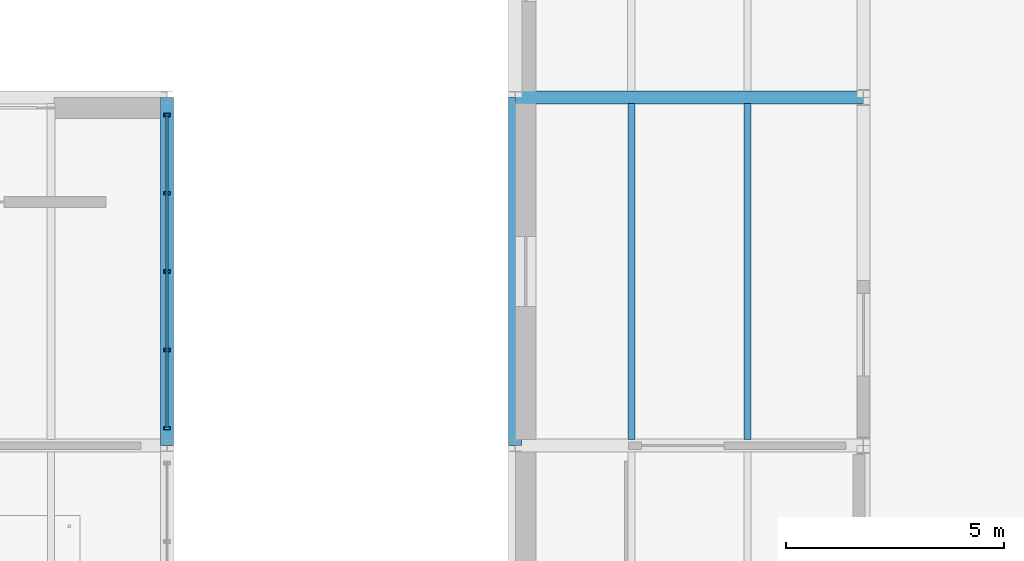
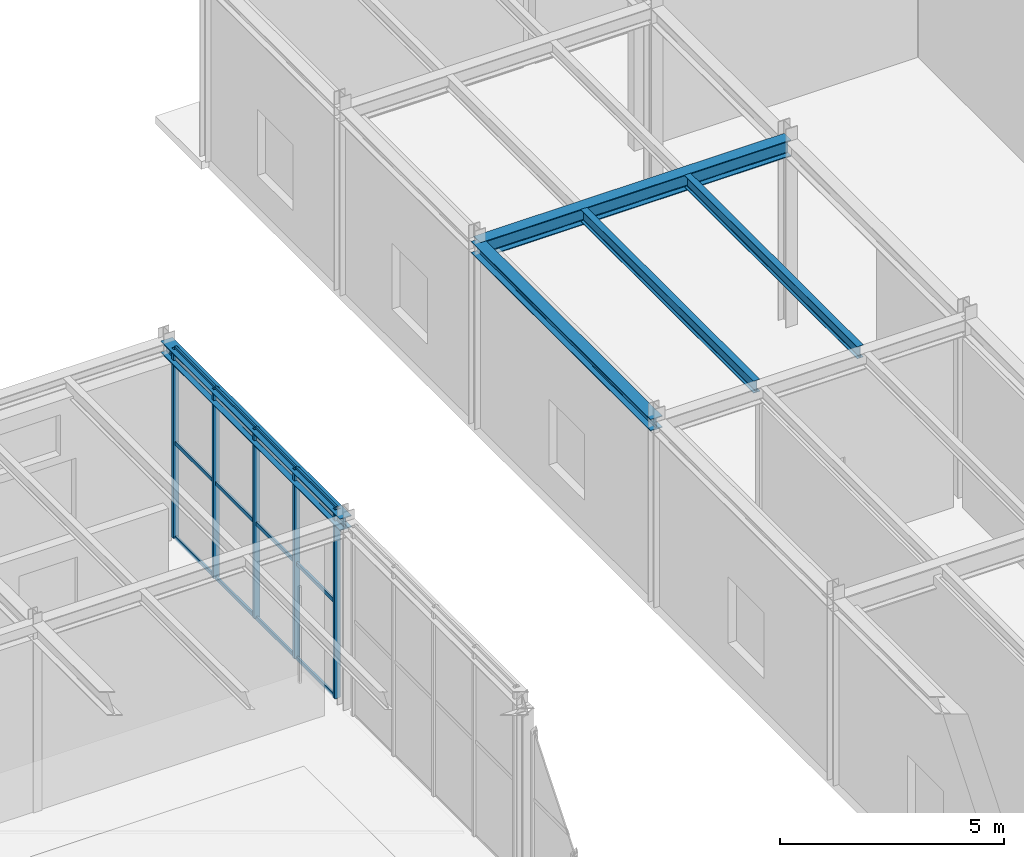
# One storey, part 55 of 129: 17 members, 5 beams, 1 element without a shape of its own.
"""IFC4 building model written with IfcOpenShell, lengths in metres."""

from ifc_helpers import new_model, si_unit, direction, frame, origin, origin_2d, place, context, subcontext, project, spatial, hollow_rectangle, i_section, extrude, material, material_profile, profile_set, type_object, element, aggregate, save


model = new_model("IFC4")

# Units and contexts
model_context = context("Model", 3, precision=1e-05, world=origin(), true_north=direction((0.0, 1.0)))
body_context = subcontext(model_context, "Body", "Model", "MODEL_VIEW")
ifc_project = project(units=[si_unit("LENGTHUNIT", "METRE"), si_unit("AREAUNIT", "SQUARE_METRE"), si_unit("VOLUMEUNIT", "CUBIC_METRE"), si_unit("PLANEANGLEUNIT", "RADIAN"), si_unit("MASSUNIT", "GRAM", prefix="KILO")], contexts=[model_context])

# Site, building, storey
site_placement = place(None, origin())
site = spatial("IfcSite", under=ifc_project, at=site_placement, CompositionType="ELEMENT")
building_placement = place(site_placement, origin())
building = spatial("IfcBuilding", under=site, at=building_placement, Name="Sundkrona Museum", CompositionType="ELEMENT")
storey_placement = place(building_placement, origin())
storey = spatial("IfcBuildingStorey", under=building, at=storey_placement, Name="L00", CompositionType="ELEMENT", Elevation=0.0)

# Beams
ifc_material_1 = material(Name="Steel S355J2", Category="steel")
ifc_material_profile_1 = material_profile(ifc_material_1, i_section(OverallWidth=0.300048828125, OverallDepth=0.43994140625, WebThickness=0.011474609375, FlangeThickness=0.02099609375, FilletRadius=0.027099609375, at=origin_2d()), Name="HEA 450")
ifc_profile_set_1 = profile_set([ifc_material_profile_1], Name="Steel S355J2")
beam_type_1 = type_object("IfcBeamType", Name="B-HEA450", PredefinedType="BEAM", material=ifc_profile_set_1)
beam_placement = place(storey_placement, frame((104.0, 102.0, 4.830078125), z_axis=(1.0, 0.0, 0.0), x_axis=(0.0, 1.0, 0.0)))
element("IfcBeam", 1, at=beam_placement, inside=storey, type_object=beam_type_1, Name="L00 Girder X-0577", PredefinedType="BEAM", context=body_context, shape_type="SweptSolid", body=[
    extrude(i_section(OverallWidth=0.300048828125, OverallDepth=0.43994140625, WebThickness=0.011474609375, FlangeThickness=0.02099609375, FilletRadius=0.027099609375, at=origin_2d()), origin(), (0.0, 0.0, 1.0), 8.0),
])
ifc_material_profile_2 = material_profile(ifc_material_1, i_section(OverallWidth=0.159912109375, OverallDepth=0.330078125, WebThickness=0.007568359375, FlangeThickness=0.011474609375, FilletRadius=0.01806640625, at=origin_2d()), Name="IPE 330")
ifc_profile_set_2 = profile_set([ifc_material_profile_2], Name="Steel S355J2")
beam_type_2 = type_object("IfcBeamType", Name="J-IPE330", PredefinedType="JOIST", material=ifc_profile_set_2)
for number, where, z_axis, x_axis, name in (
    (2, (106.666748046875, 94.14404296875, 4.885009765625), (0.0, 1.0, 0.0), (-1.0, 0.0, 0.0), "L00 Composite Joist 0443"),
    (3, (109.333251953125, 94.14404296875, 4.885009765625), (0.0, 1.0, 0.0), (-1.0, 0.0, 0.0), "L00 Composite Joist 0444"),
):
    element("IfcBeam", number, at=place(storey_placement, frame(where, z_axis=z_axis, x_axis=x_axis)), inside=storey, type_object=beam_type_2, Name=name, PredefinedType="JOIST", context=body_context, shape_type="SweptSolid", body=[
        extrude(i_section(OverallWidth=0.159912109375, OverallDepth=0.330078125, WebThickness=0.007568359375, FlangeThickness=0.011474609375, FilletRadius=0.01806640625, at=origin_2d()), origin(), (0.0, 0.0, 1.0), 7.7119140625),
    ])

# Curtain wall, members
ifc_material_2 = material(Name="Unitised Aluminium-Steel and Ceramic-Clad Curtain Walling", Category="steel")
curtain_wall_type = type_object("IfcCurtainWallType", Name="CW-PS-74x48", PredefinedType="NOTDEFINED", material=ifc_material_2)
curtain_wall_placement = place(storey_placement, origin())
curtain_wall = element("IfcCurtainWall", 4, at=curtain_wall_placement, inside=storey, type_object=curtain_wall_type, Name="L00 Curtain Wall CW-L00-107", PredefinedType="NOTDEFINED")
ifc_material_3 = material(Name="Aluminium EN AW-6060 T66", Category="aluminium")
ifc_material_profile_3 = material_profile(ifc_material_3, hollow_rectangle(XDim=0.074951171875, YDim=0.14990234375, WallThickness=0.00634765625, at=origin_2d()), Name="RHS 150x75x6.3")
ifc_profile_set_3 = profile_set([ifc_material_profile_3], Name="Aluminium EN AW-6060 T66")
member_type_1 = type_object("IfcMemberType", Name="ML-150", PredefinedType="MULLION", material=ifc_profile_set_3)
member_1_placement = place(storey_placement, frame((96.0, 94.39990234375, -0.00390625), z_axis=(0.0, 0.0, 1.0), x_axis=(0.0, 1.0, 0.0)))
member_1 = element("IfcMember", 5, at=member_1_placement, type_object=member_type_1, Name="CW-L00-107 Mullion 01", PredefinedType="MULLION", context=body_context, shape_type="SweptSolid", body=[
    extrude(hollow_rectangle(XDim=0.074951171875, YDim=0.14990234375, WallThickness=0.00634765625, at=origin_2d()), origin(), (0.0, 0.0, 1.0), 5.14794921875),
])
member_2_placement = place(storey_placement, frame((96.0, 96.199951171875, -0.00390625), z_axis=(0.0, 0.0, 1.0), x_axis=(0.0, 1.0, 0.0)))
member_2 = element("IfcMember", 6, at=member_2_placement, type_object=member_type_1, Name="CW-L00-107 Mullion 02", PredefinedType="MULLION", context=body_context, shape_type="SweptSolid", body=[
    extrude(hollow_rectangle(XDim=0.074951171875, YDim=0.14990234375, WallThickness=0.00634765625, at=origin_2d()), origin(), (0.0, 0.0, 1.0), 5.14794921875),
])
member_3_placement = place(storey_placement, frame((96.0, 98.0, -0.00390625), z_axis=(0.0, 0.0, 1.0), x_axis=(0.0, 1.0, 0.0)))
member_3 = element("IfcMember", 7, at=member_3_placement, type_object=member_type_1, Name="CW-L00-107 Mullion 03", PredefinedType="MULLION", context=body_context, shape_type="SweptSolid", body=[
    extrude(hollow_rectangle(XDim=0.074951171875, YDim=0.14990234375, WallThickness=0.00634765625, at=origin_2d()), origin(), (0.0, 0.0, 1.0), 5.14794921875),
])
member_4_placement = place(storey_placement, frame((96.0, 99.800048828125, -0.00390625), z_axis=(0.0, 0.0, 1.0), x_axis=(0.0, 1.0, 0.0)))
member_4 = element("IfcMember", 8, at=member_4_placement, type_object=member_type_1, Name="CW-L00-107 Mullion 04", PredefinedType="MULLION", context=body_context, shape_type="SweptSolid", body=[
    extrude(hollow_rectangle(XDim=0.074951171875, YDim=0.14990234375, WallThickness=0.00634765625, at=origin_2d()), origin(), (0.0, 0.0, 1.0), 5.14794921875),
])
member_5_placement = place(storey_placement, frame((96.0, 101.60009765625, -0.00390625), z_axis=(0.0, 0.0, 1.0), x_axis=(0.0, 1.0, 0.0)))
member_5 = element("IfcMember", 9, at=member_5_placement, type_object=member_type_1, Name="CW-L00-107 Mullion 05", PredefinedType="MULLION", context=body_context, shape_type="SweptSolid", body=[
    extrude(hollow_rectangle(XDim=0.074951171875, YDim=0.14990234375, WallThickness=0.00634765625, at=origin_2d()), origin(), (0.0, 0.0, 1.0), 5.14794921875),
])

# Beams
ifc_material_profile_4 = material_profile(ifc_material_1, i_section(OverallWidth=0.300048828125, OverallDepth=0.320068359375, WebThickness=0.011474609375, FlangeThickness=0.0205078125, FilletRadius=0.027099609375, at=origin_2d()), Name="HEB 320")
ifc_profile_set_4 = profile_set([ifc_material_profile_4], Name="Steel S355J2")
beam_type_3 = type_object("IfcBeamType", Name="SP-HEB320", PredefinedType="SPANDREL", material=ifc_profile_set_4)
for number, where, z_axis, x_axis, name in (
    (10, (96.0, 94.0, 4.97998046875), (0.0, 1.0, 0.0), (-1.0, 0.0, 0.0), "L00 Girder Y-0708"),
    (11, (104.0, 94.0, 4.889892578125), (0.0, 1.0, 0.0), (-1.0, 0.0, 0.0), "L00 Girder Y-0713"),
):
    element("IfcBeam", number, at=place(storey_placement, frame(where, z_axis=z_axis, x_axis=x_axis)), inside=storey, type_object=beam_type_3, Name=name, PredefinedType="SPANDREL", context=body_context, shape_type="SweptSolid", body=[
        extrude(i_section(OverallWidth=0.300048828125, OverallDepth=0.320068359375, WebThickness=0.011474609375, FlangeThickness=0.0205078125, FilletRadius=0.027099609375, at=origin_2d()), origin(), (0.0, 0.0, 1.0), 8.0),
    ])

# Member
ifc_material_profile_5 = material_profile(ifc_material_3, hollow_rectangle(XDim=0.050048828125, YDim=0.10009765625, WallThickness=0.0048828125, at=origin_2d()), Name="RHS 100x50x5.0")
ifc_profile_set_5 = profile_set([ifc_material_profile_5], Name="Aluminium EN AW-6060 T66")
member_type_2 = type_object("IfcMemberType", Name="TR-100", PredefinedType="USERDEFINED", material=ifc_profile_set_5)
member_6_placement = place(storey_placement, frame((96.0, 94.39990234375, -0.00390625), z_axis=(0.0, 1.0, 0.0), x_axis=(-1.0, 0.0, 0.0)))
member_6 = element("IfcMember", 12, at=member_6_placement, type_object=member_type_2, Name="CW-L00-107 Transom 01", ObjectType="TRANSOM", PredefinedType="USERDEFINED", context=body_context, shape_type="SweptSolid", body=[
    extrude(hollow_rectangle(XDim=0.050048828125, YDim=0.10009765625, WallThickness=0.0048828125, at=origin_2d()), origin(), (0.0, 0.0, 1.0), 1.800048828125),
])

member_7_placement = place(storey_placement, frame((96.0, 94.39990234375, 2.570068359375), z_axis=(0.0, 1.0, 0.0), x_axis=(-1.0, 0.0, 0.0)))
member_7 = element("IfcMember", 13, at=member_7_placement, type_object=member_type_2, Name="CW-L00-107 Transom 02", ObjectType="TRANSOM", PredefinedType="USERDEFINED", context=body_context, shape_type="SweptSolid", body=[
    extrude(hollow_rectangle(XDim=0.050048828125, YDim=0.10009765625, WallThickness=0.0048828125, at=origin_2d()), origin(), (0.0, 0.0, 1.0), 1.800048828125),
])

member_8_placement = place(storey_placement, frame((96.0, 94.39990234375, 5.14404296875), z_axis=(0.0, 1.0, 0.0), x_axis=(-1.0, 0.0, 0.0)))
member_8 = element("IfcMember", 14, at=member_8_placement, type_object=member_type_2, Name="CW-L00-107 Transom 03", ObjectType="TRANSOM", PredefinedType="USERDEFINED", context=body_context, shape_type="SweptSolid", body=[
    extrude(hollow_rectangle(XDim=0.050048828125, YDim=0.10009765625, WallThickness=0.0048828125, at=origin_2d()), origin(), (0.0, 0.0, 1.0), 1.800048828125),
])

member_9_placement = place(storey_placement, frame((96.0, 96.199951171875, -0.00390625), z_axis=(0.0, 1.0, 0.0), x_axis=(-1.0, 0.0, 0.0)))
member_9 = element("IfcMember", 15, at=member_9_placement, type_object=member_type_2, Name="CW-L00-107 Transom 04", ObjectType="TRANSOM", PredefinedType="USERDEFINED", context=body_context, shape_type="SweptSolid", body=[
    extrude(hollow_rectangle(XDim=0.050048828125, YDim=0.10009765625, WallThickness=0.0048828125, at=origin_2d()), origin(), (0.0, 0.0, 1.0), 1.800048828125),
])

member_10_placement = place(storey_placement, frame((96.0, 96.199951171875, 2.570068359375), z_axis=(0.0, 1.0, 0.0), x_axis=(-1.0, 0.0, 0.0)))
member_10 = element("IfcMember", 16, at=member_10_placement, type_object=member_type_2, Name="CW-L00-107 Transom 05", ObjectType="TRANSOM", PredefinedType="USERDEFINED", context=body_context, shape_type="SweptSolid", body=[
    extrude(hollow_rectangle(XDim=0.050048828125, YDim=0.10009765625, WallThickness=0.0048828125, at=origin_2d()), origin(), (0.0, 0.0, 1.0), 1.800048828125),
])

member_11_placement = place(storey_placement, frame((96.0, 96.199951171875, 5.14404296875), z_axis=(0.0, 1.0, 0.0), x_axis=(-1.0, 0.0, 0.0)))
member_11 = element("IfcMember", 17, at=member_11_placement, type_object=member_type_2, Name="CW-L00-107 Transom 06", ObjectType="TRANSOM", PredefinedType="USERDEFINED", context=body_context, shape_type="SweptSolid", body=[
    extrude(hollow_rectangle(XDim=0.050048828125, YDim=0.10009765625, WallThickness=0.0048828125, at=origin_2d()), origin(), (0.0, 0.0, 1.0), 1.800048828125),
])

member_12_placement = place(storey_placement, frame((96.0, 98.0, -0.00390625), z_axis=(0.0, 1.0, 0.0), x_axis=(-1.0, 0.0, 0.0)))
member_12 = element("IfcMember", 18, at=member_12_placement, type_object=member_type_2, Name="CW-L00-107 Transom 07", ObjectType="TRANSOM", PredefinedType="USERDEFINED", context=body_context, shape_type="SweptSolid", body=[
    extrude(hollow_rectangle(XDim=0.050048828125, YDim=0.10009765625, WallThickness=0.0048828125, at=origin_2d()), origin(), (0.0, 0.0, 1.0), 1.800048828125),
])

member_13_placement = place(storey_placement, frame((96.0, 98.0, 2.570068359375), z_axis=(0.0, 1.0, 0.0), x_axis=(-1.0, 0.0, 0.0)))
member_13 = element("IfcMember", 19, at=member_13_placement, type_object=member_type_2, Name="CW-L00-107 Transom 08", ObjectType="TRANSOM", PredefinedType="USERDEFINED", context=body_context, shape_type="SweptSolid", body=[
    extrude(hollow_rectangle(XDim=0.050048828125, YDim=0.10009765625, WallThickness=0.0048828125, at=origin_2d()), origin(), (0.0, 0.0, 1.0), 1.800048828125),
])

member_14_placement = place(storey_placement, frame((96.0, 98.0, 5.14404296875), z_axis=(0.0, 1.0, 0.0), x_axis=(-1.0, 0.0, 0.0)))
member_14 = element("IfcMember", 20, at=member_14_placement, type_object=member_type_2, Name="CW-L00-107 Transom 09", ObjectType="TRANSOM", PredefinedType="USERDEFINED", context=body_context, shape_type="SweptSolid", body=[
    extrude(hollow_rectangle(XDim=0.050048828125, YDim=0.10009765625, WallThickness=0.0048828125, at=origin_2d()), origin(), (0.0, 0.0, 1.0), 1.800048828125),
])

member_15_placement = place(storey_placement, frame((96.0, 99.800048828125, -0.00390625), z_axis=(0.0, 1.0, 0.0), x_axis=(-1.0, 0.0, 0.0)))
member_15 = element("IfcMember", 21, at=member_15_placement, type_object=member_type_2, Name="CW-L00-107 Transom 10", ObjectType="TRANSOM", PredefinedType="USERDEFINED", context=body_context, shape_type="SweptSolid", body=[
    extrude(hollow_rectangle(XDim=0.050048828125, YDim=0.10009765625, WallThickness=0.0048828125, at=origin_2d()), origin(), (0.0, 0.0, 1.0), 1.800048828125),
])

member_16_placement = place(storey_placement, frame((96.0, 99.800048828125, 2.570068359375), z_axis=(0.0, 1.0, 0.0), x_axis=(-1.0, 0.0, 0.0)))
member_16 = element("IfcMember", 22, at=member_16_placement, type_object=member_type_2, Name="CW-L00-107 Transom 11", ObjectType="TRANSOM", PredefinedType="USERDEFINED", context=body_context, shape_type="SweptSolid", body=[
    extrude(hollow_rectangle(XDim=0.050048828125, YDim=0.10009765625, WallThickness=0.0048828125, at=origin_2d()), origin(), (0.0, 0.0, 1.0), 1.800048828125),
])

member_17_placement = place(storey_placement, frame((96.0, 99.800048828125, 5.14404296875), z_axis=(0.0, 1.0, 0.0), x_axis=(-1.0, 0.0, 0.0)))
member_17 = element("IfcMember", 23, at=member_17_placement, type_object=member_type_2, Name="CW-L00-107 Transom 12", ObjectType="TRANSOM", PredefinedType="USERDEFINED", context=body_context, shape_type="SweptSolid", body=[
    extrude(hollow_rectangle(XDim=0.050048828125, YDim=0.10009765625, WallThickness=0.0048828125, at=origin_2d()), origin(), (0.0, 0.0, 1.0), 1.800048828125),
])

aggregate(curtain_wall, [member_1, member_2, member_3, member_4, member_5, member_6, member_7, member_8, member_9, member_10, member_11, member_12, member_13, member_14, member_15, member_16, member_17])

save(model, "model.ifc")
